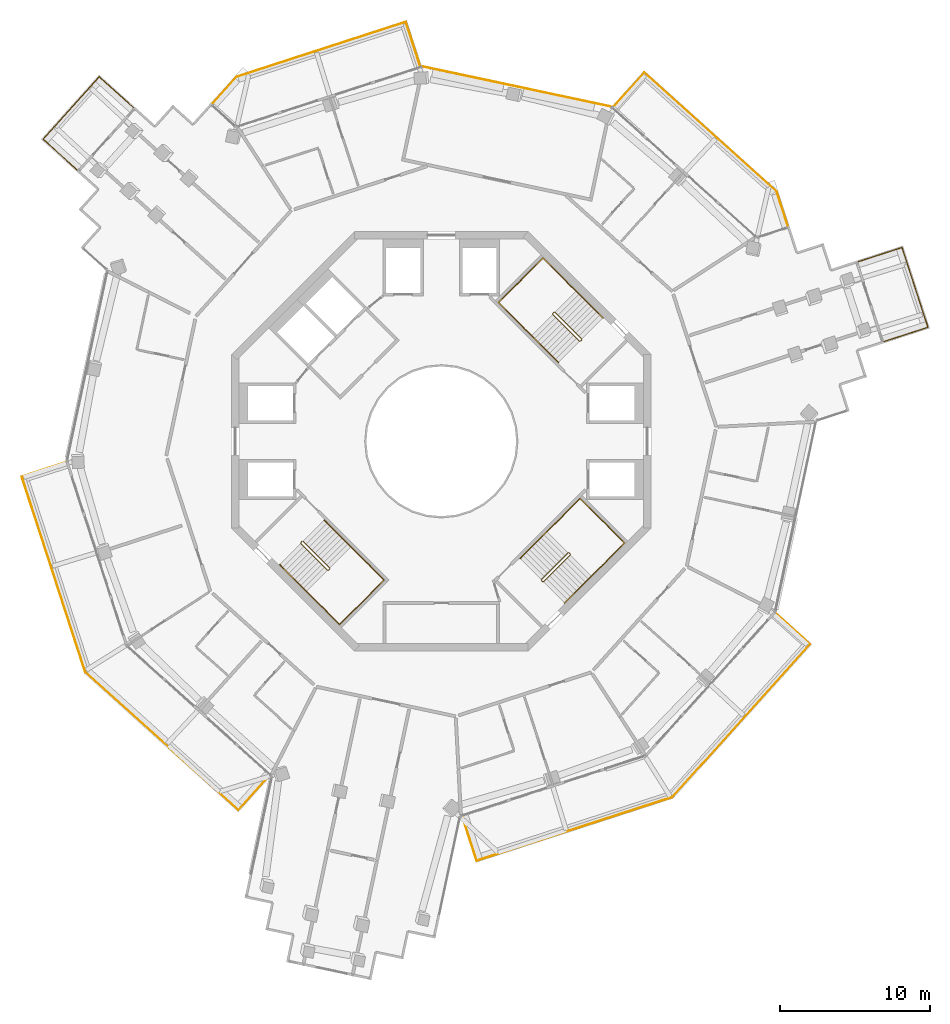
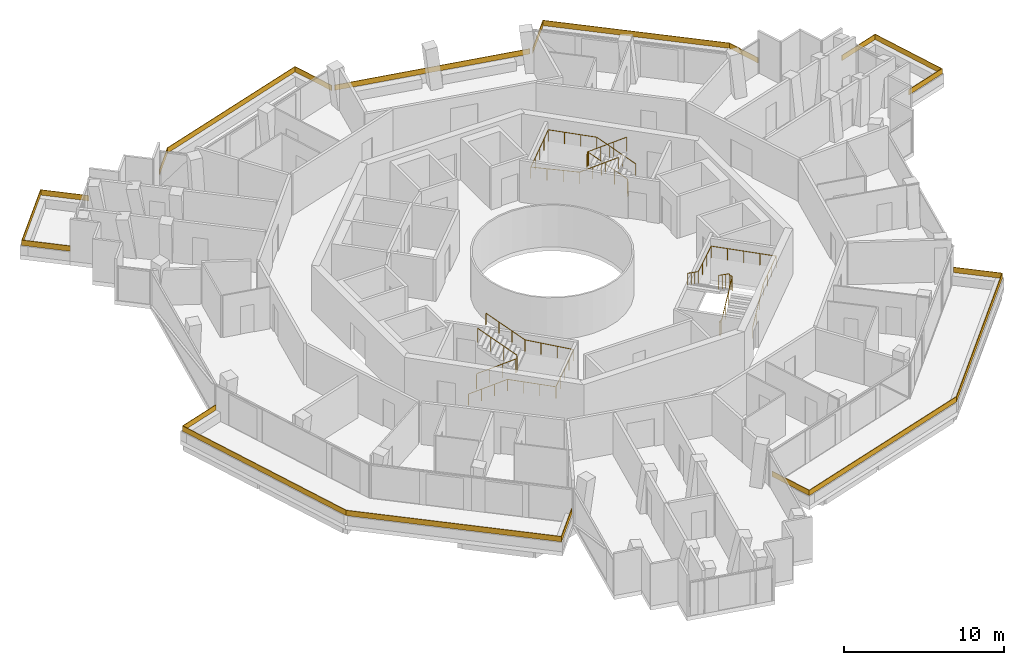
# One storey, part 22 of 22: 13 railings.
"""IFC4 building model written with IfcOpenShell, lengths in metres."""

from ifc_helpers import new_model, si_unit, direction, frame, origin, origin_2d, place, context, subcontext, project, spatial, polyline, rectangle, circle, outline, extrude, material, layer, layer_set, type_object, element, save


model = new_model("IFC4")

# Units and contexts
model_context = context("Model", 3, precision=1e-05, world=origin(), true_north=direction((0.0, 1.0)))
body_context = subcontext(model_context, "Body", "Model", "MODEL_VIEW")
ifc_project = project(units=[si_unit("LENGTHUNIT", "METRE"), si_unit("AREAUNIT", "SQUARE_METRE"), si_unit("VOLUMEUNIT", "CUBIC_METRE"), si_unit("PLANEANGLEUNIT", "RADIAN"), si_unit("MASSUNIT", "GRAM", prefix="KILO")], contexts=[model_context])

# Site, building, storey
site_placement = place(None, origin())
site = spatial("IfcSite", under=ifc_project, at=site_placement, CompositionType="ELEMENT")
building_placement = place(site_placement, origin())
building = spatial("IfcBuilding", under=site, at=building_placement, Name="Verdalira Terraces Hotel", CompositionType="ELEMENT")
storey_placement = place(building_placement, frame((0.0, 0.0, 230.5)))
storey = spatial("IfcBuildingStorey", under=building, at=storey_placement, Name="L56", CompositionType="ELEMENT", Elevation=230.5)

# Railings
ifc_material_1 = material(Name="Laminated glass", Category="glass")
ifc_layer = layer(ifc_material_1, 0.0400390625)
ifc_layer_set = layer_set([ifc_layer], Name="Balcony glass guard 400")
railing_type_1 = type_object("IfcRailingType", Name="Balcony glass guard 400", PredefinedType="GUARDRAIL", material=ifc_layer_set)
railing_1_placement = place(storey_placement, frame((0.0, 0.0, 0.699951)))
element("IfcRailing", 1, at=railing_1_placement, inside=storey, type_object=railing_type_1, Name="Balcony glass guard", PredefinedType="GUARDRAIL", context=body_context, shape_type="SweptSolid", body=[
    extrude(outline(polyline([(-22.831543, 24.29834), (-26.551758, 20.166504), (-24.263672, 18.106201), (-24.290527, 18.07666), (-26.608398, 20.163574), (-22.834473, 24.35498), (-20.516602, 22.267822), (-20.543213, 22.238037), (-22.831543, 24.29834)])), origin(), (0.0, 0.0, 1.0), 0.400146),
])
railing_2_placement = place(storey_placement, frame((0.0, 0.0, 0.699951)))
element("IfcRailing", 2, at=railing_2_placement, inside=storey, type_object=railing_type_1, Name="Balcony glass guard", PredefinedType="GUARDRAIL", context=body_context, shape_type="SweptSolid", body=[
    extrude(outline(polyline([(-27.971924, -2.380371), (-23.736572, -15.414795), (-13.551758, -24.585449), (-11.491455, -22.297363), (-11.46167, -22.323975), (-13.548584, -24.641846), (-23.771484, -15.437256), (-28.022217, -2.354492), (-25.055908, -1.390869), (-25.043457, -1.428711), (-27.971924, -2.380371)])), origin(), (0.0, 0.0, 1.0), 0.400146),
])
railing_3_placement = place(storey_placement, frame((0.0, 0.0, 0.699951)))
element("IfcRailing", 3, at=railing_3_placement, inside=storey, type_object=railing_type_1, Name="Balcony glass guard", PredefinedType="GUARDRAIL", context=body_context, shape_type="SweptSolid", body=[
    extrude(outline(polyline([(2.380371, -27.971924), (15.414795, -23.736572), (24.585449, -13.551758), (22.297363, -11.491455), (22.323975, -11.46167), (24.641846, -13.548584), (15.437256, -23.771484), (2.354492, -28.022217), (1.390869, -25.055908), (1.428711, -25.043457), (2.380371, -27.971924)])), origin(), (0.0, 0.0, 1.0), 0.400146),
])
railing_4_placement = place(storey_placement, frame((0.0, 0.0, 0.699951)))
element("IfcRailing", 4, at=railing_4_placement, inside=storey, type_object=railing_type_1, Name="Balcony glass guard", PredefinedType="GUARDRAIL", context=body_context, shape_type="SweptSolid", body=[
    extrude(outline(polyline([(32.45874, 7.623535), (30.740723, 12.911377), (27.812256, 11.959961), (27.800049, 11.997803), (30.766357, 12.96167), (32.509277, 7.597656), (29.542725, 6.634033), (29.530518, 6.671875), (32.45874, 7.623535)])), origin(), (0.0, 0.0, 1.0), 0.400146),
])
railing_5_placement = place(storey_placement, frame((0.0, 0.0, 0.699951)))
element("IfcRailing", 5, at=railing_5_placement, inside=storey, type_object=railing_type_1, Name="Balcony glass guard", PredefinedType="GUARDRAIL", context=body_context, shape_type="SweptSolid", body=[
    extrude(outline(polyline([(22.380615, 16.635742), (13.551758, 24.585449), (11.491455, 22.297363), (11.46167, 22.323975), (13.548584, 24.641846), (22.415283, 16.658447), (23.161621, 14.361328), (23.123535, 14.348877), (22.380615, 16.635742)])), origin(), (0.0, 0.0, 1.0), 0.400146),
])
railing_6_placement = place(storey_placement, frame((0.0, 0.0, 0.699951)))
element("IfcRailing", 6, at=railing_6_placement, inside=storey, type_object=railing_type_1, Name="Balcony glass guard", PredefinedType="GUARDRAIL", context=body_context, shape_type="SweptSolid", body=[
    extrude(outline(polyline([(-2.380371, 27.971924), (-13.679199, 24.300537), (-15.28833, 22.513672), (-15.317871, 22.540283), (-13.70166, 24.335205), (-2.354492, 28.022217), (-1.390869, 25.055908), (-1.428711, 25.043457), (-2.380371, 27.971924)])), origin(), (0.0, 0.0, 1.0), 0.400146),
])
railing_7_placement = place(storey_placement, frame((5.033203, 23.679199, 0.699951), z_axis=(0.0, 0.0, 1.0), x_axis=(-0.978147601, 0.207911691, 0.0)))
element("IfcRailing", 7, at=railing_7_placement, inside=storey, type_object=railing_type_1, Name="Loggia glass guard", PredefinedType="GUARDRAIL", context=body_context, shape_type="SweptSolid", body=[
    extrude(rectangle(XDim=12.840088, YDim=0.040039, at=origin_2d()), origin(), (0.0, 0.0, 1.0), 0.399902),
])
ifc_material_2 = material(Name="Stainless steel", Category="steel")
railing_type_2 = type_object("IfcRailingType", Name="Stair guard 1100", PredefinedType="GUARDRAIL", material=ifc_material_2)
railing_8_placement = place(storey_placement, frame((9.369141, 6.75293, 0.0)))
element("IfcRailing", 8, at=railing_8_placement, inside=storey, type_object=railing_type_2, Name="L56 ST1 stair guard 1", PredefinedType="GUARDRAIL", context=body_context, shape_type="SweptSolid", body=[
    extrude(circle(Radius=0.023926, at=origin_2d()), frame((0.0, 0.0, 1.076172), z_axis=(-0.707106781, -0.707106781, 0.0), x_axis=(0.707106781, -0.707106781, 0.0)), (0.0, 0.0, 1.0), 0.100098),
    extrude(circle(Radius=0.023926, at=origin_2d()), frame((-0.070801, -0.070801, 1.076172), z_axis=(0.300162975, 0.599290904, 0.742127078), x_axis=(-0.894118129, 0.447831187, 0.0)), (0.0, 0.0, 1.0), 0.23584),
    extrude(circle(Radius=0.023926, at=origin_2d()), frame((0.0, 0.070557, 1.250977), z_axis=(-0.599637504, 0.599637504, 0.52997144), x_axis=(-0.707106781, -0.707106781, 0.0)), (0.0, 0.0, 1.0), 2.97168),
    extrude(circle(Radius=0.023926, at=origin_2d()), frame((-1.781982, 1.852539, 2.826172), z_axis=(-1.0, 0.0, 0.0), x_axis=(0.0, -1.0, 0.0)), (0.0, 0.0, 1.0), 0.070557),
    extrude(circle(Radius=0.023926, at=origin_2d()), frame((-1.852539, 1.852539, 2.826172), z_axis=(-0.707106781, -0.707106781, 0.0), x_axis=(0.707106781, -0.707106781, 0.0)), (0.0, 0.0, 1.0), 0.100098),
    extrude(circle(Radius=0.023926, at=origin_2d()), frame((-1.92334, 1.781738, 2.826172), z_axis=(0.0, -0.373842709, 0.927492118), x_axis=(1.0, 0.0, 0.0)), (0.0, 0.0, 1.0), 0.188721),
    extrude(circle(Radius=0.023926, at=origin_2d()), frame((-1.92334, 1.711182, 3.000977), z_axis=(0.599637504, -0.599637504, 0.52997144), x_axis=(0.707106781, 0.707106781, 0.0)), (0.0, 0.0, 1.0), 2.97168),
    extrude(circle(Radius=0.020996, at=origin_2d()), origin(), (0.0, 0.0, 1.0), 1.052002),
    extrude(circle(Radius=0.020996, at=origin_2d()), frame((-0.070801, -0.070801, 0.0)), (0.0, 0.0, 1.0), 1.052002),
    extrude(circle(Radius=0.020996, at=origin_2d()), frame((0.0, 0.070557, 0.175049)), (0.0, 0.0, 1.0), 1.052002),
    extrude(circle(Radius=0.020996, at=origin_2d()), frame((-0.593994, 0.664551, 0.699951)), (0.0, 0.0, 1.0), 1.052002),
    extrude(circle(Radius=0.020996, at=origin_2d()), frame((-1.187988, 1.258545, 1.225098)), (0.0, 0.0, 1.0), 1.052002),
    extrude(circle(Radius=0.020996, at=origin_2d()), frame((-1.781982, 1.852539, 1.75)), (0.0, 0.0, 1.0), 1.052002),
    extrude(circle(Radius=0.020996, at=origin_2d()), frame((-1.852539, 1.852539, 1.75)), (0.0, 0.0, 1.0), 1.052002),
    extrude(circle(Radius=0.020996, at=origin_2d()), frame((-1.92334, 1.781738, 1.75)), (0.0, 0.0, 1.0), 1.052002),
    extrude(circle(Radius=0.020996, at=origin_2d()), frame((-1.92334, 1.711182, 1.925049)), (0.0, 0.0, 1.0), 1.052002),
    extrude(circle(Radius=0.020996, at=origin_2d()), frame((-1.329346, 1.117188, 2.449951)), (0.0, 0.0, 1.0), 1.052002),
    extrude(circle(Radius=0.020996, at=origin_2d()), frame((-0.735352, 0.523193, 2.975098)), (0.0, 0.0, 1.0), 1.052002),
    extrude(circle(Radius=0.020996, at=origin_2d()), frame((-0.141357, -0.070801, 3.5)), (0.0, 0.0, 1.0), 1.052002),
])
railing_9_placement = place(storey_placement, frame((-9.369141, -6.75293, 0.0)))
element("IfcRailing", 9, at=railing_9_placement, inside=storey, type_object=railing_type_2, Name="L56 ST2 stair guard 1", PredefinedType="GUARDRAIL", context=body_context, shape_type="SweptSolid", body=[
    extrude(circle(Radius=0.023926, at=origin_2d()), frame((0.0, 0.0, 1.076172), z_axis=(0.707106781, 0.707106781, 0.0), x_axis=(-0.707106781, 0.707106781, 0.0)), (0.0, 0.0, 1.0), 0.100098),
    extrude(circle(Radius=0.023926, at=origin_2d()), frame((0.070801, 0.070801, 1.076172), z_axis=(-0.300162975, -0.599290904, 0.742127078), x_axis=(0.894118129, -0.447831187, 0.0)), (0.0, 0.0, 1.0), 0.23584),
    extrude(circle(Radius=0.023926, at=origin_2d()), frame((0.0, -0.070557, 1.250977), z_axis=(0.599637504, -0.599637504, 0.52997144), x_axis=(0.707106781, 0.707106781, 0.0)), (0.0, 0.0, 1.0), 2.97168),
    extrude(circle(Radius=0.023926, at=origin_2d()), frame((1.781982, -1.852539, 2.826172), z_axis=(1.0, 0.0, 0.0), x_axis=(0.0, 1.0, 0.0)), (0.0, 0.0, 1.0), 0.070557),
    extrude(circle(Radius=0.023926, at=origin_2d()), frame((1.852539, -1.852539, 2.826172), z_axis=(0.707106781, 0.707106781, 0.0), x_axis=(-0.707106781, 0.707106781, 0.0)), (0.0, 0.0, 1.0), 0.100098),
    extrude(circle(Radius=0.023926, at=origin_2d()), frame((1.92334, -1.781738, 2.826172), z_axis=(0.0, 0.373842709, 0.927492118), x_axis=(-1.0, 0.0, 0.0)), (0.0, 0.0, 1.0), 0.188721),
    extrude(circle(Radius=0.023926, at=origin_2d()), frame((1.92334, -1.711182, 3.000977), z_axis=(-0.599637504, 0.599637504, 0.52997144), x_axis=(-0.707106781, -0.707106781, 0.0)), (0.0, 0.0, 1.0), 2.97168),
    extrude(circle(Radius=0.020996, at=origin_2d()), origin(), (0.0, 0.0, 1.0), 1.052002),
    extrude(circle(Radius=0.020996, at=origin_2d()), frame((0.070801, 0.070801, 0.0)), (0.0, 0.0, 1.0), 1.052002),
    extrude(circle(Radius=0.020996, at=origin_2d()), frame((0.0, -0.070557, 0.175049)), (0.0, 0.0, 1.0), 1.052002),
    extrude(circle(Radius=0.020996, at=origin_2d()), frame((0.593994, -0.664551, 0.699951)), (0.0, 0.0, 1.0), 1.052002),
    extrude(circle(Radius=0.020996, at=origin_2d()), frame((1.187988, -1.258545, 1.225098)), (0.0, 0.0, 1.0), 1.052002),
    extrude(circle(Radius=0.020996, at=origin_2d()), frame((1.781982, -1.852539, 1.75)), (0.0, 0.0, 1.0), 1.052002),
    extrude(circle(Radius=0.020996, at=origin_2d()), frame((1.852539, -1.852539, 1.75)), (0.0, 0.0, 1.0), 1.052002),
    extrude(circle(Radius=0.020996, at=origin_2d()), frame((1.92334, -1.781738, 1.75)), (0.0, 0.0, 1.0), 1.052002),
    extrude(circle(Radius=0.020996, at=origin_2d()), frame((1.92334, -1.711182, 1.925049)), (0.0, 0.0, 1.0), 1.052002),
    extrude(circle(Radius=0.020996, at=origin_2d()), frame((1.329346, -1.117188, 2.449951)), (0.0, 0.0, 1.0), 1.052002),
    extrude(circle(Radius=0.020996, at=origin_2d()), frame((0.735352, -0.523193, 2.975098)), (0.0, 0.0, 1.0), 1.052002),
    extrude(circle(Radius=0.020996, at=origin_2d()), frame((0.141357, 0.070801, 3.5)), (0.0, 0.0, 1.0), 1.052002),
])
railing_10_placement = place(storey_placement, frame((6.75293, -9.369141, 0.0)))
element("IfcRailing", 10, at=railing_10_placement, inside=storey, type_object=railing_type_2, Name="L56 ST3 stair guard 1", PredefinedType="GUARDRAIL", context=body_context, shape_type="SweptSolid", body=[
    extrude(circle(Radius=0.023926, at=origin_2d()), frame((0.0, 0.0, 1.076172), z_axis=(-0.707106781, 0.707106781, 0.0), x_axis=(-0.707106781, -0.707106781, 0.0)), (0.0, 0.0, 1.0), 0.100098),
    extrude(circle(Radius=0.023926, at=origin_2d()), frame((-0.070801, 0.070801, 1.076172), z_axis=(0.599290904, -0.300162975, 0.742127078), x_axis=(0.447831187, 0.894118129, 0.0)), (0.0, 0.0, 1.0), 0.23584),
    extrude(circle(Radius=0.023926, at=origin_2d()), frame((0.070557, 0.0, 1.250977), z_axis=(0.599637504, 0.599637504, 0.52997144), x_axis=(-0.707106781, 0.707106781, 0.0)), (0.0, 0.0, 1.0), 2.97168),
    extrude(circle(Radius=0.023926, at=origin_2d()), frame((1.852539, 1.781982, 2.826172), z_axis=(0.0, 1.0, 0.0), x_axis=(-1.0, 0.0, 0.0)), (0.0, 0.0, 1.0), 0.070557),
    extrude(circle(Radius=0.023926, at=origin_2d()), frame((1.852539, 1.852539, 2.826172), z_axis=(-0.707106781, 0.707106781, 0.0), x_axis=(-0.707106781, -0.707106781, 0.0)), (0.0, 0.0, 1.0), 0.100098),
    extrude(circle(Radius=0.023926, at=origin_2d()), frame((1.781738, 1.92334, 2.826172), z_axis=(-0.373842709, 0.0, 0.927492118), x_axis=(0.0, -1.0, 0.0)), (0.0, 0.0, 1.0), 0.188721),
    extrude(circle(Radius=0.023926, at=origin_2d()), frame((1.711182, 1.92334, 3.000977), z_axis=(-0.599637504, -0.599637504, 0.52997144), x_axis=(0.707106781, -0.707106781, 0.0)), (0.0, 0.0, 1.0), 2.97168),
    extrude(circle(Radius=0.020996, at=origin_2d()), origin(), (0.0, 0.0, 1.0), 1.052002),
    extrude(circle(Radius=0.020996, at=origin_2d()), frame((-0.070801, 0.070801, 0.0)), (0.0, 0.0, 1.0), 1.052002),
    extrude(circle(Radius=0.020996, at=origin_2d()), frame((0.070557, 0.0, 0.175049)), (0.0, 0.0, 1.0), 1.052002),
    extrude(circle(Radius=0.020996, at=origin_2d()), frame((0.664551, 0.593994, 0.699951)), (0.0, 0.0, 1.0), 1.052002),
    extrude(circle(Radius=0.020996, at=origin_2d()), frame((1.258545, 1.187988, 1.225098)), (0.0, 0.0, 1.0), 1.052002),
    extrude(circle(Radius=0.020996, at=origin_2d()), frame((1.852539, 1.781982, 1.75)), (0.0, 0.0, 1.0), 1.052002),
    extrude(circle(Radius=0.020996, at=origin_2d()), frame((1.852539, 1.852539, 1.75)), (0.0, 0.0, 1.0), 1.052002),
    extrude(circle(Radius=0.020996, at=origin_2d()), frame((1.781738, 1.92334, 1.75)), (0.0, 0.0, 1.0), 1.052002),
    extrude(circle(Radius=0.020996, at=origin_2d()), frame((1.711182, 1.92334, 1.925049)), (0.0, 0.0, 1.0), 1.052002),
    extrude(circle(Radius=0.020996, at=origin_2d()), frame((1.117188, 1.329346, 2.449951)), (0.0, 0.0, 1.0), 1.052002),
    extrude(circle(Radius=0.020996, at=origin_2d()), frame((0.523193, 0.735352, 2.975098)), (0.0, 0.0, 1.0), 1.052002),
    extrude(circle(Radius=0.020996, at=origin_2d()), frame((-0.070801, 0.141357, 3.5)), (0.0, 0.0, 1.0), 1.052002),
])
ifc_material_3 = material(Name="Stainless steel", Category="steel")
railing_type_3 = type_object("IfcRailingType", Name="Stair handrail 900", PredefinedType="HANDRAIL", material=ifc_material_3)
railing_11_placement = place(storey_placement, frame((10.783447, 8.237793, 0.175049)))
element("IfcRailing", 11, at=railing_11_placement, inside=storey, type_object=railing_type_3, Name="L56 ST1 stair handrail 1", PredefinedType="HANDRAIL", context=body_context, shape_type="SweptSolid", body=[
    extrude(circle(Radius=0.023926, at=origin_2d()), frame((0.0, 0.0, 0.875977), z_axis=(-0.599637504, 0.599637504, 0.52997144), x_axis=(-0.707106781, -0.707106781, 0.0)), (0.0, 0.0, 1.0), 2.97168),
    extrude(circle(Radius=0.023926, at=origin_2d()), frame((-1.781982, 1.781982, 2.450684), z_axis=(-0.707106781, 0.707106781, 0.0), x_axis=(-0.707106781, -0.707106781, 0.0)), (0.0, 0.0, 1.0), 3.129883),
    extrude(circle(Radius=0.023926, at=origin_2d()), frame((-3.995117, 3.995117, 2.450684), z_axis=(-0.707135845, -0.707077716, 0.0), x_axis=(0.707077716, -0.707135845, 0.0)), (0.0, 0.0, 1.0), 4.199951),
    extrude(circle(Radius=0.023926, at=origin_2d()), frame((-6.965088, 1.025391, 2.450684), z_axis=(0.706003682, -0.706003682, 0.0558355), x_axis=(0.707106781, 0.707106781, 0.0)), (0.0, 0.0, 1.0), 3.13501),
    extrude(circle(Radius=0.023926, at=origin_2d()), frame((-4.751709, -1.187988, 2.625977), z_axis=(0.599614426, -0.599614426, 0.530023659), x_axis=(0.707106781, 0.707106781, 0.0)), (0.0, 0.0, 1.0), 2.971436),
    extrude(circle(Radius=0.020996, at=origin_2d()), origin(), (0.0, 0.0, 1.0), 0.851807),
    extrude(circle(Radius=0.020996, at=origin_2d()), frame((-0.593994, 0.593994, 0.524902)), (0.0, 0.0, 1.0), 0.851807),
    extrude(circle(Radius=0.020996, at=origin_2d()), frame((-1.187988, 1.187988, 1.050049)), (0.0, 0.0, 1.0), 0.851807),
    extrude(circle(Radius=0.020996, at=origin_2d()), frame((-1.781982, 1.781982, 1.574951)), (0.0, 0.0, 1.0), 0.851807),
    extrude(circle(Radius=0.020996, at=origin_2d()), frame((-2.519775, 2.519775, 1.574951)), (0.0, 0.0, 1.0), 0.851807),
    extrude(circle(Radius=0.020996, at=origin_2d()), frame((-3.257324, 3.257324, 1.574951)), (0.0, 0.0, 1.0), 0.851807),
    extrude(circle(Radius=0.020996, at=origin_2d()), frame((-3.995117, 3.995117, 1.574951)), (0.0, 0.0, 1.0), 0.851807),
    extrude(circle(Radius=0.020996, at=origin_2d()), frame((-4.737549, 3.252686, 1.574951)), (0.0, 0.0, 1.0), 0.851807),
    extrude(circle(Radius=0.020996, at=origin_2d()), frame((-5.47998, 2.510254, 1.574951)), (0.0, 0.0, 1.0), 0.851807),
    extrude(circle(Radius=0.020996, at=origin_2d()), frame((-6.222656, 1.767822, 1.574951)), (0.0, 0.0, 1.0), 0.851807),
    extrude(circle(Radius=0.020996, at=origin_2d()), frame((-6.965088, 1.025391, 1.574951)), (0.0, 0.0, 1.0), 0.851807),
    extrude(circle(Radius=0.020996, at=origin_2d()), frame((-6.227295, 0.287598, 1.633301)), (0.0, 0.0, 1.0), 0.851807),
    extrude(circle(Radius=0.020996, at=origin_2d()), frame((-5.489502, -0.450195, 1.69165)), (0.0, 0.0, 1.0), 0.851807),
    extrude(circle(Radius=0.020996, at=origin_2d()), frame((-4.751709, -1.187988, 1.75)), (0.0, 0.0, 1.0), 0.851807),
    extrude(circle(Radius=0.020996, at=origin_2d()), frame((-4.157715, -1.781982, 2.274902)), (0.0, 0.0, 1.0), 0.851807),
    extrude(circle(Radius=0.020996, at=origin_2d()), frame((-3.563965, -2.375732, 2.800049)), (0.0, 0.0, 1.0), 0.851807),
    extrude(circle(Radius=0.020996, at=origin_2d()), frame((-2.969971, -2.969727, 3.324951)), (0.0, 0.0, 1.0), 0.851807),
])
railing_12_placement = place(storey_placement, frame((-10.783447, -8.237793, 0.175049)))
element("IfcRailing", 12, at=railing_12_placement, inside=storey, type_object=railing_type_3, Name="L56 ST2 stair handrail 1", PredefinedType="HANDRAIL", context=body_context, shape_type="SweptSolid", body=[
    extrude(circle(Radius=0.023926, at=origin_2d()), frame((0.0, 0.0, 0.875977), z_axis=(0.599637504, -0.599637504, 0.52997144), x_axis=(0.707106781, 0.707106781, 0.0)), (0.0, 0.0, 1.0), 2.97168),
    extrude(circle(Radius=0.023926, at=origin_2d()), frame((1.781982, -1.781982, 2.450684), z_axis=(0.707106781, -0.707106781, 0.0), x_axis=(0.707106781, 0.707106781, 0.0)), (0.0, 0.0, 1.0), 3.129883),
    extrude(circle(Radius=0.023926, at=origin_2d()), frame((3.995117, -3.995117, 2.450684), z_axis=(0.707135845, 0.707077716, 0.0), x_axis=(-0.707077716, 0.707135845, 0.0)), (0.0, 0.0, 1.0), 4.199951),
    extrude(circle(Radius=0.023926, at=origin_2d()), frame((6.965088, -1.025391, 2.450684), z_axis=(-0.706003682, 0.706003682, 0.0558355), x_axis=(-0.707106781, -0.707106781, 0.0)), (0.0, 0.0, 1.0), 3.13501),
    extrude(circle(Radius=0.023926, at=origin_2d()), frame((4.751709, 1.187988, 2.625977), z_axis=(-0.599614426, 0.599614426, 0.530023659), x_axis=(-0.707106781, -0.707106781, 0.0)), (0.0, 0.0, 1.0), 2.971436),
    extrude(circle(Radius=0.020996, at=origin_2d()), origin(), (0.0, 0.0, 1.0), 0.851807),
    extrude(circle(Radius=0.020996, at=origin_2d()), frame((0.593994, -0.593994, 0.524902)), (0.0, 0.0, 1.0), 0.851807),
    extrude(circle(Radius=0.020996, at=origin_2d()), frame((1.187988, -1.187988, 1.050049)), (0.0, 0.0, 1.0), 0.851807),
    extrude(circle(Radius=0.020996, at=origin_2d()), frame((1.781982, -1.781982, 1.574951)), (0.0, 0.0, 1.0), 0.851807),
    extrude(circle(Radius=0.020996, at=origin_2d()), frame((2.519775, -2.519775, 1.574951)), (0.0, 0.0, 1.0), 0.851807),
    extrude(circle(Radius=0.020996, at=origin_2d()), frame((3.257324, -3.257324, 1.574951)), (0.0, 0.0, 1.0), 0.851807),
    extrude(circle(Radius=0.020996, at=origin_2d()), frame((3.995117, -3.995117, 1.574951)), (0.0, 0.0, 1.0), 0.851807),
    extrude(circle(Radius=0.020996, at=origin_2d()), frame((4.737549, -3.252686, 1.574951)), (0.0, 0.0, 1.0), 0.851807),
    extrude(circle(Radius=0.020996, at=origin_2d()), frame((5.47998, -2.510254, 1.574951)), (0.0, 0.0, 1.0), 0.851807),
    extrude(circle(Radius=0.020996, at=origin_2d()), frame((6.222656, -1.767822, 1.574951)), (0.0, 0.0, 1.0), 0.851807),
    extrude(circle(Radius=0.020996, at=origin_2d()), frame((6.965088, -1.025391, 1.574951)), (0.0, 0.0, 1.0), 0.851807),
    extrude(circle(Radius=0.020996, at=origin_2d()), frame((6.227295, -0.287598, 1.633301)), (0.0, 0.0, 1.0), 0.851807),
    extrude(circle(Radius=0.020996, at=origin_2d()), frame((5.489502, 0.450195, 1.69165)), (0.0, 0.0, 1.0), 0.851807),
    extrude(circle(Radius=0.020996, at=origin_2d()), frame((4.751709, 1.187988, 1.75)), (0.0, 0.0, 1.0), 0.851807),
    extrude(circle(Radius=0.020996, at=origin_2d()), frame((4.157715, 1.781982, 2.274902)), (0.0, 0.0, 1.0), 0.851807),
    extrude(circle(Radius=0.020996, at=origin_2d()), frame((3.563965, 2.375732, 2.800049)), (0.0, 0.0, 1.0), 0.851807),
    extrude(circle(Radius=0.020996, at=origin_2d()), frame((2.969971, 2.969727, 3.324951)), (0.0, 0.0, 1.0), 0.851807),
])
railing_13_placement = place(storey_placement, frame((8.237793, -10.783447, 0.175049)))
element("IfcRailing", 13, at=railing_13_placement, inside=storey, type_object=railing_type_3, Name="L56 ST3 stair handrail 1", PredefinedType="HANDRAIL", context=body_context, shape_type="SweptSolid", body=[
    extrude(circle(Radius=0.023926, at=origin_2d()), frame((0.0, 0.0, 0.875977), z_axis=(0.599637504, 0.599637504, 0.52997144), x_axis=(-0.707106781, 0.707106781, 0.0)), (0.0, 0.0, 1.0), 2.97168),
    extrude(circle(Radius=0.023926, at=origin_2d()), frame((1.781982, 1.781982, 2.450684), z_axis=(0.707106781, 0.707106781, 0.0), x_axis=(-0.707106781, 0.707106781, 0.0)), (0.0, 0.0, 1.0), 3.129883),
    extrude(circle(Radius=0.023926, at=origin_2d()), frame((3.995117, 3.995117, 2.450684), z_axis=(-0.707077716, 0.707135845, 0.0), x_axis=(-0.707135845, -0.707077716, 0.0)), (0.0, 0.0, 1.0), 4.199951),
    extrude(circle(Radius=0.023926, at=origin_2d()), frame((1.025391, 6.965088, 2.450684), z_axis=(-0.706003682, -0.706003682, 0.0558355), x_axis=(0.707106781, -0.707106781, 0.0)), (0.0, 0.0, 1.0), 3.13501),
    extrude(circle(Radius=0.023926, at=origin_2d()), frame((-1.187988, 4.751709, 2.625977), z_axis=(-0.599614426, -0.599614426, 0.530023659), x_axis=(0.707106781, -0.707106781, 0.0)), (0.0, 0.0, 1.0), 2.971436),
    extrude(circle(Radius=0.020996, at=origin_2d()), origin(), (0.0, 0.0, 1.0), 0.851807),
    extrude(circle(Radius=0.020996, at=origin_2d()), frame((0.593994, 0.593994, 0.524902)), (0.0, 0.0, 1.0), 0.851807),
    extrude(circle(Radius=0.020996, at=origin_2d()), frame((1.187988, 1.187988, 1.050049)), (0.0, 0.0, 1.0), 0.851807),
    extrude(circle(Radius=0.020996, at=origin_2d()), frame((1.781982, 1.781982, 1.574951)), (0.0, 0.0, 1.0), 0.851807),
    extrude(circle(Radius=0.020996, at=origin_2d()), frame((2.519775, 2.519775, 1.574951)), (0.0, 0.0, 1.0), 0.851807),
    extrude(circle(Radius=0.020996, at=origin_2d()), frame((3.257324, 3.257324, 1.574951)), (0.0, 0.0, 1.0), 0.851807),
    extrude(circle(Radius=0.020996, at=origin_2d()), frame((3.995117, 3.995117, 1.574951)), (0.0, 0.0, 1.0), 0.851807),
    extrude(circle(Radius=0.020996, at=origin_2d()), frame((3.252686, 4.737549, 1.574951)), (0.0, 0.0, 1.0), 0.851807),
    extrude(circle(Radius=0.020996, at=origin_2d()), frame((2.510254, 5.47998, 1.574951)), (0.0, 0.0, 1.0), 0.851807),
    extrude(circle(Radius=0.020996, at=origin_2d()), frame((1.767822, 6.222656, 1.574951)), (0.0, 0.0, 1.0), 0.851807),
    extrude(circle(Radius=0.020996, at=origin_2d()), frame((1.025391, 6.965088, 1.574951)), (0.0, 0.0, 1.0), 0.851807),
    extrude(circle(Radius=0.020996, at=origin_2d()), frame((0.287598, 6.227295, 1.633301)), (0.0, 0.0, 1.0), 0.851807),
    extrude(circle(Radius=0.020996, at=origin_2d()), frame((-0.450195, 5.489502, 1.69165)), (0.0, 0.0, 1.0), 0.851807),
    extrude(circle(Radius=0.020996, at=origin_2d()), frame((-1.187988, 4.751709, 1.75)), (0.0, 0.0, 1.0), 0.851807),
    extrude(circle(Radius=0.020996, at=origin_2d()), frame((-1.781982, 4.157715, 2.274902)), (0.0, 0.0, 1.0), 0.851807),
    extrude(circle(Radius=0.020996, at=origin_2d()), frame((-2.375732, 3.563965, 2.800049)), (0.0, 0.0, 1.0), 0.851807),
    extrude(circle(Radius=0.020996, at=origin_2d()), frame((-2.969727, 2.969971, 3.324951)), (0.0, 0.0, 1.0), 0.851807),
])

save(model, "model.ifc")
